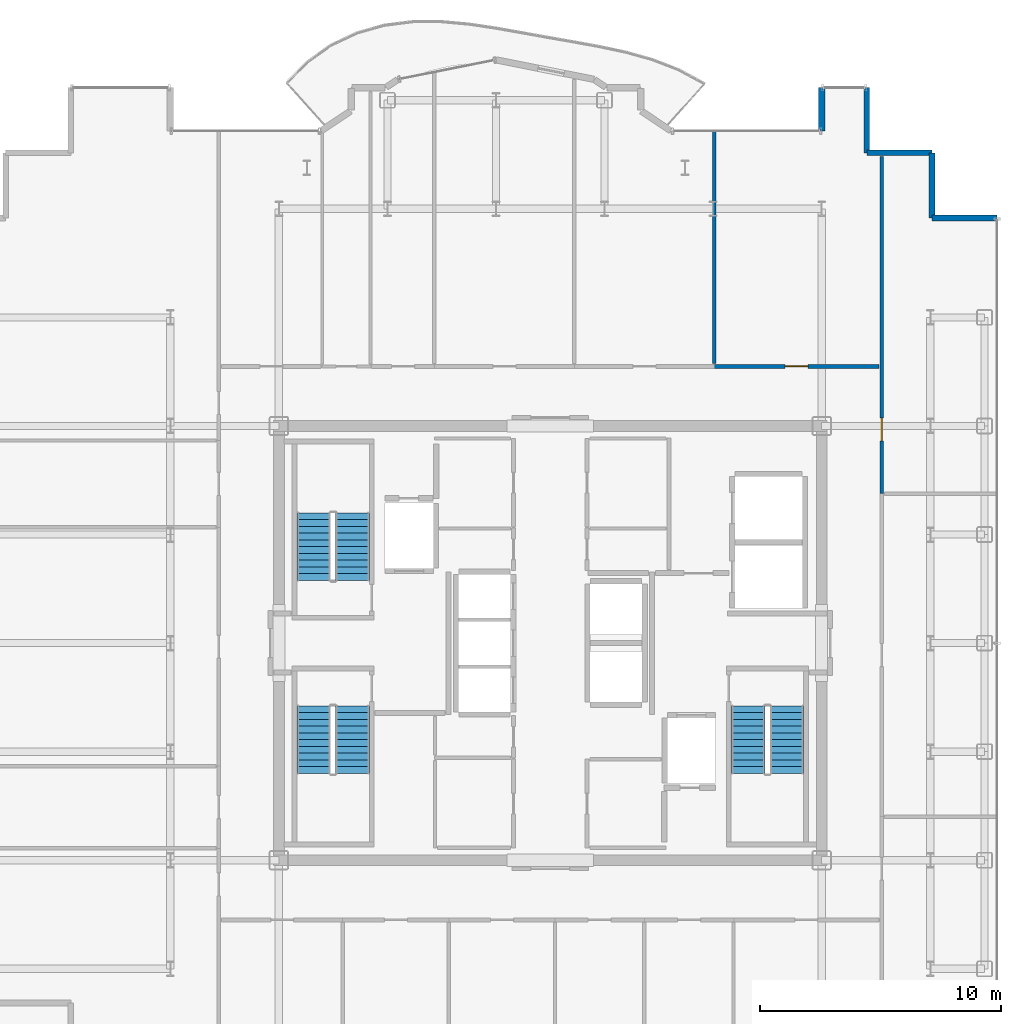
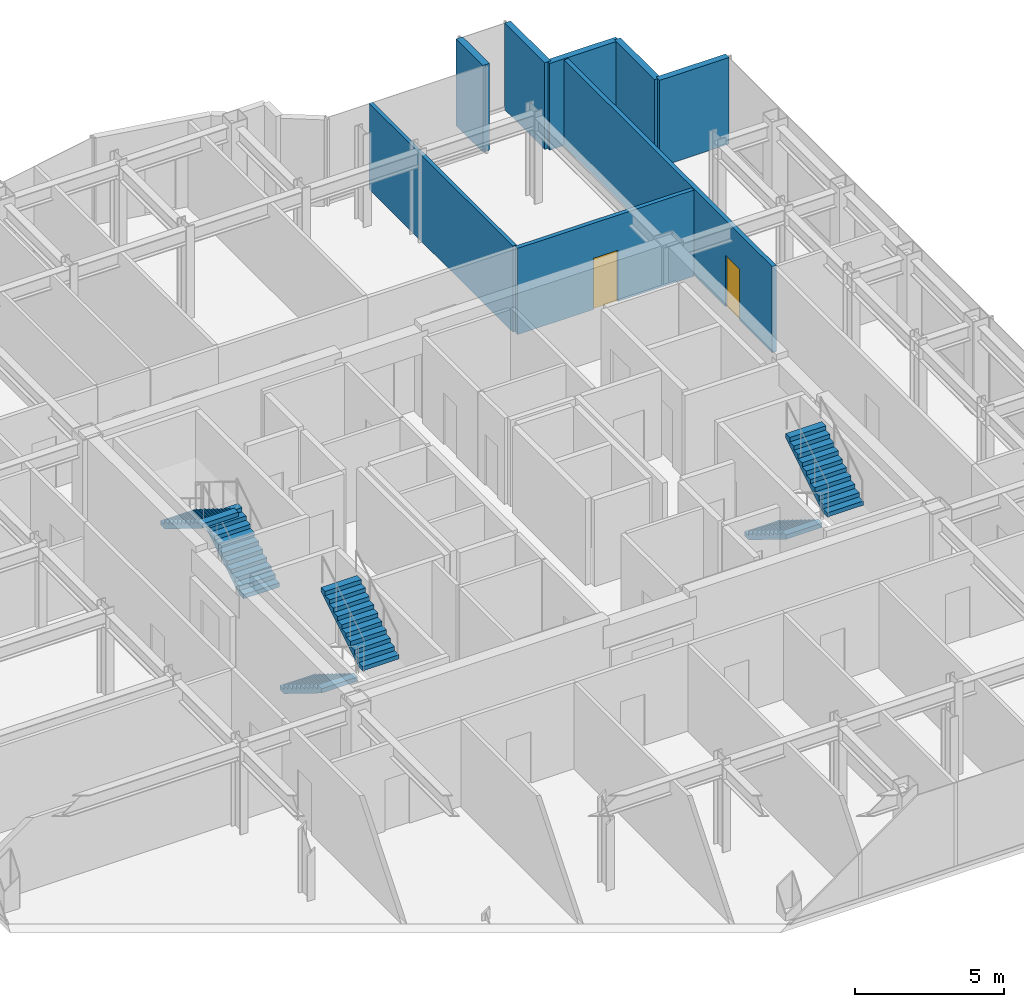
# One storey, part 15 of 17: 8 walls, 6 stair flights, 2 doors, 2 openings, 3 elements without a shape of their own.
"""IFC4 building model written with IfcOpenShell, lengths in metres."""

from ifc_helpers import new_model, si_unit, direction, frame, frame_2d, origin, place, context, subcontext, project, spatial, polyline, rectangle, outline, extrude, source, transform, mapped, material, layer, layer_set, type_object, element, fill, aggregate, save


model = new_model("IFC4")

# Units and contexts
model_context = context("Model", 3, precision=1e-05, world=origin(), true_north=direction((0.0, 1.0)))
body_context = subcontext(model_context, "Body", "Model", "MODEL_VIEW")
ifc_project = project(units=[si_unit("LENGTHUNIT", "METRE"), si_unit("AREAUNIT", "SQUARE_METRE"), si_unit("VOLUMEUNIT", "CUBIC_METRE"), si_unit("PLANEANGLEUNIT", "RADIAN"), si_unit("MASSUNIT", "GRAM", prefix="KILO")], contexts=[model_context])

# Site, building, storey
site_placement = place(None, origin())
site = spatial("IfcSite", under=ifc_project, at=site_placement, CompositionType="ELEMENT")
building_placement = place(site_placement, origin())
building = spatial("IfcBuilding", under=site, at=building_placement, Name="Nefas-Gora Pilgrimage Tower", CompositionType="ELEMENT")
storey_placement = place(building_placement, frame((0.0, 0.0, 279.800048828125)))
storey = spatial("IfcBuildingStorey", under=building, at=storey_placement, Name="L70", CompositionType="ELEMENT", Elevation=279.800048828125)

# Walls
ifc_material_1 = material(Name="Precast concrete C40/50", Category="concrete")
ifc_layer_1 = layer(ifc_material_1, 0.260009765625)
ifc_layer_set_1 = layer_set([ifc_layer_1], Name="Precast concrete C40/50")
wall_type_1 = type_object("IfcWallType", Name="EW-PORTAL-260", PredefinedType="SOLIDWALL", material=ifc_layer_set_1)
shared_shape_1 = source(origin(), body_context, "Body", "SweptSolid", [
    extrude(rectangle(XDim=1.800048828125, YDim=0.260009765625, at=frame_2d((0.89990234375, 0.0))), origin(), (0.0, 0.0, 1.0), 3.550048828125),
])
wall_1_placement = place(storey_placement, frame((11.25, 23.02001953125, 0.0), z_axis=(0.0, 0.0, 1.0), x_axis=(0.0, -1.0, 0.0)))
element("IfcWall", 1, at=wall_1_placement, inside=storey, type_object=wall_type_1, Name="L70 Lobe Shoulder Precast Spandrel Pier 7", PredefinedType="SOLIDWALL", context=body_context, shape_type="MappedRepresentation", body=[
    mapped(shared_shape_1, transform((0.0, 0.0, 0.0), x_axis=(1.0, 0.0, 0.0), y_axis=(0.0, 1.0, 0.0), z_axis=(0.0, 0.0, 1.0), scale=1.0)),
])
ifc_material_2 = material(Name="Precast concrete C45/55", Category="concrete")
ifc_layer_2 = layer(ifc_material_2, 0.239990234375)
ifc_layer_set_2 = layer_set([ifc_layer_2], Name="Precast concrete C45/55")
wall_type_2 = type_object("IfcWallType", Name="EW-SERR-240", PredefinedType="SHEAR", material=ifc_layer_set_2)
shared_shape_2 = source(origin(), body_context, "Body", "SweptSolid", [
    extrude(rectangle(XDim=2.699951171875, YDim=0.239990234375, at=frame_2d((1.35009765625, 0.0))), origin(), (0.0, 0.0, 1.0), 3.550048828125),
])
for number, where, z_axis, x_axis, name in (
    (2, (18.52001953125, 17.6201171875, 0.0), (0.0, 0.0, 1.0), (-1.0, 0.0, 0.0), "L70 Serrated Corner Shear Pier Wall 3"),
    (3, (15.820068359375, 17.6201171875, 0.0), (0.0, 0.0, 1.0), (0.0, 1.0, 0.0), "L70 Serrated Corner Shear Pier Wall 4"),
    (4, (15.820068359375, 20.320068359375, 0.0), (0.0, 0.0, 1.0), (-1.0, 0.0, 0.0), "L70 Serrated Corner Shear Pier Wall 5"),
    (5, (13.1201171875, 20.320068359375, 0.0), (0.0, 0.0, 1.0), (0.0, 1.0, 0.0), "L70 Serrated Corner Shear Pier Wall 6"),
):
    element("IfcWall", number, at=place(storey_placement, frame(where, z_axis=z_axis, x_axis=x_axis)), inside=storey, type_object=wall_type_2, Name=name, PredefinedType="SHEAR", context=body_context, shape_type="MappedRepresentation", body=[
        mapped(shared_shape_2, transform((0.0, 0.0, 0.0), x_axis=(1.0, 0.0, 0.0), y_axis=(0.0, 1.0, 0.0), z_axis=(0.0, 0.0, 1.0), scale=1.0)),
    ])
ifc_material_3 = material(Name="Gypsum twin-stud partition")
ifc_layer_3 = layer(ifc_material_3, 0.139892578125)
ifc_layer_set_3 = layer_set([ifc_layer_3], Name="Gypsum twin-stud partition")
wall_type_3 = type_object("IfcWallType", Name="IW-UNIT-140", PredefinedType="PARTITIONING", material=ifc_layer_set_3)
shared_shape_3 = source(origin(), body_context, "Body", "SweptSolid", [
    extrude(rectangle(XDim=9.64990234375, YDim=0.139892578125, at=frame_2d((4.824951171875, 0.0))), origin(), (0.0, 0.0, 1.0), 3.534912109375),
])
wall_2_placement = place(storey_placement, frame((6.794921875, 11.590087890625, 0.0), z_axis=(0.0, 0.0, 1.0), x_axis=(0.0, 1.0, 0.0)))
element("IfcWall", 6, at=wall_2_placement, inside=storey, type_object=wall_type_3, Name="L70 Pilgrim Contemplative Lounge Partition Wall 59", PredefinedType="PARTITIONING", context=body_context, shape_type="MappedRepresentation", body=[
    mapped(shared_shape_3, transform((0.0, 0.0, 0.0), x_axis=(1.0, 0.0, 0.0), y_axis=(0.0, 1.0, 0.0), z_axis=(0.0, 0.0, 1.0), scale=1.0)),
])

# Wall, opening, door
ifc_material_4 = material(Name="Gypsum acoustic stud partition")
ifc_layer_4 = layer(ifc_material_4, 0.159912109375)
ifc_layer_set_4 = layer_set([ifc_layer_4], Name="Gypsum acoustic stud partition")
wall_type_4 = type_object("IfcWallType", Name="IW-CORR-160", PredefinedType="PARTITIONING", material=ifc_layer_set_4)
shared_shape_4 = source(origin(), body_context, "Body", "SweptSolid", [
    extrude(rectangle(XDim=6.8251953125, YDim=0.159912109375, at=frame_2d((3.41259765625, 0.0))), origin(), (0.0, 0.0, 1.0), 3.534912109375),
])
wall_3_placement = place(storey_placement, frame((6.794921875, 11.469970703125, 0.0), z_axis=(0.0, 0.0, 1.0), x_axis=(1.0, 0.0, 0.0)))
wall_3 = element("IfcWall", 7, at=wall_3_placement, inside=storey, type_object=wall_type_4, Name="L70 Pilgrim Contemplative Lounge Partition Wall 60", PredefinedType="PARTITIONING", context=body_context, shape_type="MappedRepresentation", body=[
    mapped(shared_shape_4, transform((0.0, 0.0, 0.0), x_axis=(1.0, 0.0, 0.0), y_axis=(0.0, 1.0, 0.0), z_axis=(0.0, 0.0, 1.0), scale=1.0)),
])
opening_1_placement = place(wall_3_placement, frame((2.9375, 0.0, 0.0)))
opening_1 = element("IfcOpeningElement", 8, at=opening_1_placement, cuts=wall_3, Name="Opening ID-GR1", PredefinedType="OPENING", context=body_context, shape_type="SweptSolid", body=[
    extrude(rectangle(XDim=0.949951171875, YDim=2.10009765625, at=frame_2d((0.47509765625, 1.050048828125))), frame((0.0, 0.08984375, 0.0), z_axis=(0.0, -1.0, 0.0), x_axis=(1.0, 0.0, 0.0)), (0.0, 0.0, 1.0), 0.179931640625),
])
ifc_material_5 = material(Name="Solid core oak fire-rated guest entrance door")
door_type = type_object("IfcDoorType", Name="DR-INT-GUEST-950", OperationType="NOTDEFINED", PredefinedType="DOOR", material=ifc_material_5)
shared_shape_5 = source(origin(), body_context, "Body", "SweptSolid", [
    extrude(rectangle(XDim=0.949951171875, YDim=2.10009765625, at=frame_2d((0.47509765625, 1.050048828125))), frame((0.0, 0.02490234375, 0.0), z_axis=(0.0, -1.0, 0.0), x_axis=(1.0, 0.0, 0.0)), (0.0, 0.0, 1.0), 0.050048828125),
])
door_1_placement = place(opening_1_placement, origin())
door_1 = element("IfcDoor", 9, at=door_1_placement, inside=storey, type_object=door_type, Name="L70 Pilgrim Contemplative Lounge Door 28", OperationType="SINGLE_SWING_RIGHT", OverallHeight=2.10009765625, OverallWidth=0.949951171875, PredefinedType="DOOR", context=body_context, shape_type="MappedRepresentation", body=[
    mapped(shared_shape_5, transform((0.0, 0.0, 0.0), x_axis=(1.0, 0.0, 0.0), y_axis=(0.0, 1.0, 0.0), z_axis=(0.0, 0.0, 1.0), scale=1.0)),
])
fill(opening_1, door_1)

shared_shape_6 = source(origin(), body_context, "Body", "SweptSolid", [
    extrude(rectangle(XDim=13.96484375, YDim=0.159912109375, at=frame_2d((6.982421875, 0.0))), origin(), (0.0, 0.0, 1.0), 3.534912109375),
])
wall_4_placement = place(storey_placement, frame((13.739990234375, 6.195068359375, 0.0), z_axis=(0.0, 0.0, 1.0), x_axis=(0.0, 1.0, 0.0)))
wall_4 = element("IfcWall", 10, at=wall_4_placement, inside=storey, type_object=wall_type_4, Name="L70 Pilgrim Contemplative Lounge Partition Wall 52", PredefinedType="PARTITIONING", context=body_context, shape_type="MappedRepresentation", body=[
    mapped(shared_shape_6, transform((0.0, 0.0, 0.0), x_axis=(1.0, 0.0, 0.0), y_axis=(0.0, 1.0, 0.0), z_axis=(0.0, 0.0, 1.0), scale=1.0)),
])
opening_2_placement = place(wall_4_placement, frame((2.1826171875, 0.0, 0.0)))
opening_2 = element("IfcOpeningElement", 11, at=opening_2_placement, cuts=wall_4, Name="Opening ID-GR1", PredefinedType="OPENING", context=body_context, shape_type="SweptSolid", body=[
    extrude(rectangle(XDim=0.949951171875, YDim=2.10009765625, at=frame_2d((0.47509765625, 1.050048828125))), frame((0.0, 0.08984375, 0.0), z_axis=(0.0, -1.0, 0.0), x_axis=(1.0, 0.0, 0.0)), (0.0, 0.0, 1.0), 0.179931640625),
])
door_2_placement = place(opening_2_placement, origin())
door_2 = element("IfcDoor", 12, at=door_2_placement, inside=storey, type_object=door_type, Name="L70 Pilgrim Contemplative Lounge Door 23", OperationType="SINGLE_SWING_LEFT", OverallHeight=2.10009765625, OverallWidth=0.949951171875, PredefinedType="DOOR", context=body_context, shape_type="MappedRepresentation", body=[
    mapped(shared_shape_5, transform((0.0, 0.0, 0.0), x_axis=(1.0, 0.0, 0.0), y_axis=(0.0, 1.0, 0.0), z_axis=(0.0, 0.0, 1.0), scale=1.0)),
])
fill(opening_2, door_2)

# Stair, stair flights
ifc_material_6 = material(Name="Concrete C45/55", Category="concrete")
stair_type = type_object("IfcStairType", Name="STR-1400-R1727", PredefinedType="HALF_TURN_STAIR", material=ifc_material_6)
stair_1_placement = place(storey_placement, origin())
stair_1 = element("IfcStair", 13, at=stair_1_placement, inside=storey, type_object=stair_type, Name="L70 Pressurised Tower Exit Stair ST-01", PredefinedType="HALF_TURN_STAIR")
stair_flight_type = type_object("IfcStairFlightType", Name="STF-1400-R1727", PredefinedType="STRAIGHT", material=ifc_material_6)
shared_shape_7 = source(origin(), body_context, "Body", "SweptSolid", [
    extrude(outline(polyline([(0.0, 0.0), (0.0, 0.172607421875), (0.280029296875, 0.172607421875), (0.280029296875, 0.345458984375), (0.56005859375, 0.345458984375), (0.56005859375, 0.51806640625), (0.840087890625, 0.51806640625), (0.840087890625, 0.69091796875), (1.1201171875, 0.69091796875), (1.1201171875, 0.863525390625), (1.39990234375, 0.863525390625), (1.39990234375, 1.036376953125), (1.679931640625, 1.036376953125), (1.679931640625, 1.208984375), (1.9599609375, 1.208984375), (1.9599609375, 1.3818359375), (2.239990234375, 1.3818359375), (2.239990234375, 1.554443359375), (2.52001953125, 1.554443359375), (2.52001953125, 1.727294921875), (2.800048828125, 1.727294921875), (2.800048828125, 1.89990234375), (2.800048828125, 1.551025390625), (0.285400390625, 0.0), (0.0, 0.0)])), frame((0.0, 0.699951171875, 0.0), z_axis=(0.0, -1.0, 0.0), x_axis=(1.0, 0.0, 0.0)), (0.0, 0.0, 1.0), 1.39990234375),
])
stair_flight_1_placement = place(storey_placement, frame((-8.199951171875, 2.60009765625, 0.0), z_axis=(0.0, 0.0, 1.0), x_axis=(0.0, 1.0, 0.0)))
stair_flight_1 = element("IfcStairFlight", 14, at=stair_flight_1_placement, type_object=stair_flight_type, Name="ST-01 flight 1", NumberOfRisers=11, NumberOfTreads=10, PredefinedType="STRAIGHT", RiserHeight=0.172727273, TreadLength=0.28, context=body_context, shape_type="MappedRepresentation", body=[
    mapped(shared_shape_7, transform((0.0, 0.0, 0.0), x_axis=(1.0, 0.0, 0.0), y_axis=(0.0, 1.0, 0.0), z_axis=(0.0, 0.0, 1.0), scale=1.0)),
])
stair_flight_2_placement = place(storey_placement, frame((-9.800048828125, 5.39990234375, 1.89990234375), z_axis=(0.0, 0.0, 1.0), x_axis=(0.0, -1.0, 0.0)))
stair_flight_2 = element("IfcStairFlight", 15, at=stair_flight_2_placement, type_object=stair_flight_type, Name="ST-01 flight 2", NumberOfRisers=11, NumberOfTreads=10, PredefinedType="STRAIGHT", RiserHeight=0.172727273, TreadLength=0.28, context=body_context, shape_type="MappedRepresentation", body=[
    mapped(shared_shape_7, transform((0.0, 0.0, 0.0), x_axis=(1.0, 0.0, 0.0), y_axis=(0.0, 1.0, 0.0), z_axis=(0.0, 0.0, 1.0), scale=1.0)),
])
aggregate(stair_1, [stair_flight_1, stair_flight_2])

stair_2_placement = place(storey_placement, origin())
stair_2 = element("IfcStair", 16, at=stair_2_placement, inside=storey, type_object=stair_type, Name="L70 Pressurised Tower Exit Stair ST-02", PredefinedType="HALF_TURN_STAIR")
stair_flight_3_placement = place(storey_placement, frame((8.199951171875, -2.60009765625, 0.0), z_axis=(0.0, 0.0, 1.0), x_axis=(0.0, -1.0, 0.0)))
stair_flight_3 = element("IfcStairFlight", 17, at=stair_flight_3_placement, type_object=stair_flight_type, Name="ST-02 flight 1", NumberOfRisers=11, NumberOfTreads=10, PredefinedType="STRAIGHT", RiserHeight=0.172727273, TreadLength=0.28, context=body_context, shape_type="MappedRepresentation", body=[
    mapped(shared_shape_7, transform((0.0, 0.0, 0.0), x_axis=(1.0, 0.0, 0.0), y_axis=(0.0, 1.0, 0.0), z_axis=(0.0, 0.0, 1.0), scale=1.0)),
])
stair_flight_4_placement = place(storey_placement, frame((9.800048828125, -5.39990234375, 1.89990234375), z_axis=(0.0, 0.0, 1.0), x_axis=(0.0, 1.0, 0.0)))
stair_flight_4 = element("IfcStairFlight", 18, at=stair_flight_4_placement, type_object=stair_flight_type, Name="ST-02 flight 2", NumberOfRisers=11, NumberOfTreads=10, PredefinedType="STRAIGHT", RiserHeight=0.172727273, TreadLength=0.28, context=body_context, shape_type="MappedRepresentation", body=[
    mapped(shared_shape_7, transform((0.0, 0.0, 0.0), x_axis=(1.0, 0.0, 0.0), y_axis=(0.0, 1.0, 0.0), z_axis=(0.0, 0.0, 1.0), scale=1.0)),
])
aggregate(stair_2, [stair_flight_3, stair_flight_4])

stair_3_placement = place(storey_placement, origin())
stair_3 = element("IfcStair", 19, at=stair_3_placement, inside=storey, type_object=stair_type, Name="L70 Pressurised Tower Exit Stair ST-03", PredefinedType="HALF_TURN_STAIR")
stair_flight_5_placement = place(storey_placement, frame((-9.800048828125, -2.60009765625, 0.0), z_axis=(0.0, 0.0, 1.0), x_axis=(0.0, -1.0, 0.0)))
stair_flight_5 = element("IfcStairFlight", 20, at=stair_flight_5_placement, type_object=stair_flight_type, Name="ST-03 flight 1", NumberOfRisers=11, NumberOfTreads=10, PredefinedType="STRAIGHT", RiserHeight=0.172727273, TreadLength=0.28, context=body_context, shape_type="MappedRepresentation", body=[
    mapped(shared_shape_7, transform((0.0, 0.0, 0.0), x_axis=(1.0, 0.0, 0.0), y_axis=(0.0, 1.0, 0.0), z_axis=(0.0, 0.0, 1.0), scale=1.0)),
])
stair_flight_6_placement = place(storey_placement, frame((-8.199951171875, -5.39990234375, 1.89990234375), z_axis=(0.0, 0.0, 1.0), x_axis=(0.0, 1.0, 0.0)))
stair_flight_6 = element("IfcStairFlight", 21, at=stair_flight_6_placement, type_object=stair_flight_type, Name="ST-03 flight 2", NumberOfRisers=11, NumberOfTreads=10, PredefinedType="STRAIGHT", RiserHeight=0.172727273, TreadLength=0.28, context=body_context, shape_type="MappedRepresentation", body=[
    mapped(shared_shape_7, transform((0.0, 0.0, 0.0), x_axis=(1.0, 0.0, 0.0), y_axis=(0.0, 1.0, 0.0), z_axis=(0.0, 0.0, 1.0), scale=1.0)),
])
aggregate(stair_3, [stair_flight_5, stair_flight_6])

save(model, "model.ifc")
